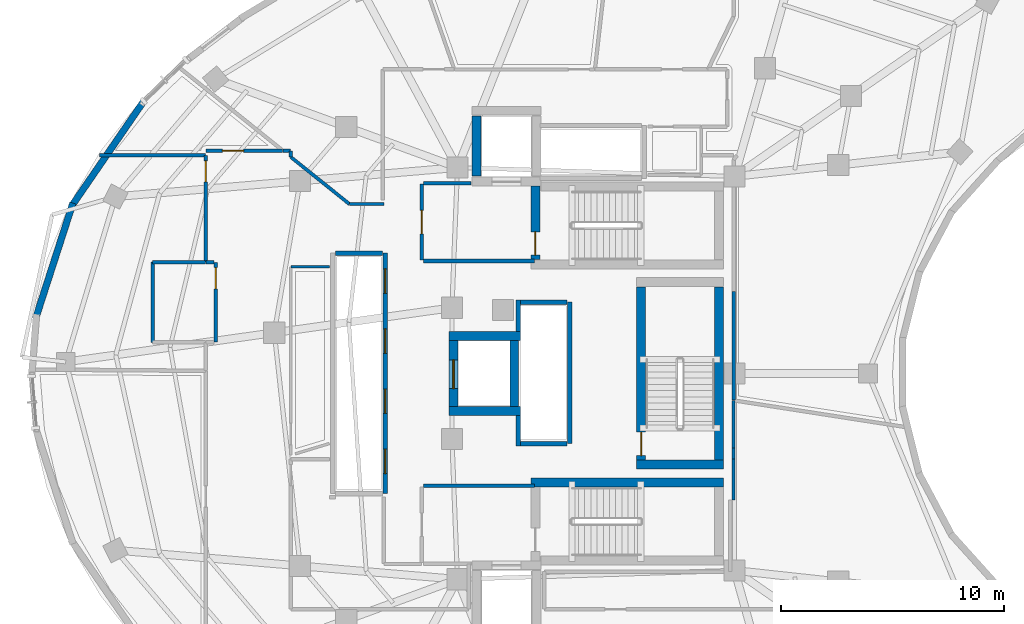
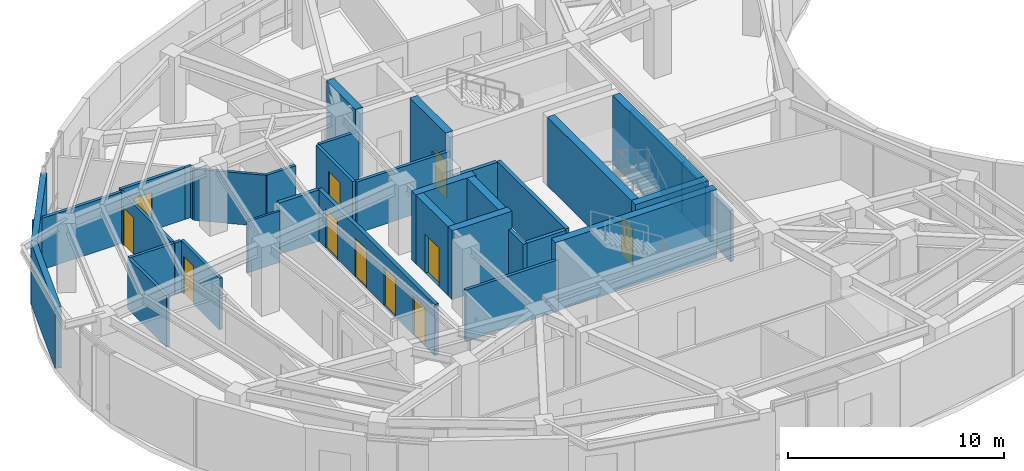
# One storey, part 8 of 13: 39 walls, 11 doors, 11 openings.
"""IFC4 building model written with IfcOpenShell, lengths in metres."""

from ifc_helpers import new_model, si_unit, direction, frame, frame_2d, origin, place, context, subcontext, project, spatial, rectangle, extrude, material, layer, layer_set, type_object, element, fill, save


model = new_model("IFC4")

# Units and contexts
model_context = context("Model", 3, precision=1e-05, world=origin(), true_north=direction((0.0, 1.0)))
body_context = subcontext(model_context, "Body", "Model", "MODEL_VIEW")
ifc_project = project(units=[si_unit("LENGTHUNIT", "METRE"), si_unit("AREAUNIT", "SQUARE_METRE"), si_unit("VOLUMEUNIT", "CUBIC_METRE"), si_unit("PLANEANGLEUNIT", "RADIAN"), si_unit("MASSUNIT", "GRAM", prefix="KILO")], contexts=[model_context])

# Site, building, storey
site_placement = place(None, origin())
site = spatial("IfcSite", under=ifc_project, at=site_placement, CompositionType="ELEMENT")
building_placement = place(site_placement, origin())
building = spatial("IfcBuilding", under=site, at=building_placement, Name="Korentha Bioscience Tower", CompositionType="ELEMENT")
storey_placement = place(building_placement, frame((0.0, 0.0, 243.60009765625)))
storey = spatial("IfcBuildingStorey", under=building, at=storey_placement, Name="L56", CompositionType="ELEMENT", Elevation=243.60009765625)

# Wall, opening, door
ifc_material_1 = material(Name="Double-Stud Acoustic Gypsum", Category="gypsum")
ifc_layer_1 = layer(ifc_material_1, 0.14990234375, Name="Double-Stud Acoustic Gypsum")
ifc_layer_set_1 = layer_set([ifc_layer_1], Name="Double-Stud Acoustic Gypsum (IW-L150)")
wall_type_1 = type_object("IfcWallType", Name="Acoustic Laboratory Partition Wall 150", PredefinedType="PARTITIONING", material=ifc_layer_set_1)
wall_1_placement = place(storey_placement, frame((13.7900390625, 36.7919921875, 0.0), z_axis=(0.0, 0.0, 1.0), x_axis=(0.0, -1.0, 0.0)))
wall_1 = element("IfcWall", 1, at=wall_1_placement, inside=storey, type_object=wall_type_1, Name="L56 Epidemiology Modelling Studio 12 Entrance Wall", PredefinedType="PARTITIONING", context=body_context, shape_type="SweptSolid", body=[
    extrude(rectangle(XDim=4.781982421875, YDim=0.14990234375, at=frame_2d((2.39111328125, 0.0))), origin(), (0.0, 0.0, 1.0), 2.909912109375),
])
opening_1_placement = place(wall_1_placement, frame((0.239990234375, 0.0, 0.0)))
opening_1 = element("IfcOpeningElement", 2, at=opening_1_placement, cuts=wall_1, Name="Opening ID-10R", PredefinedType="OPENING", context=body_context, shape_type="SweptSolid", body=[
    extrude(rectangle(XDim=0.949951171875, YDim=2.14990234375, at=frame_2d((0.47509765625, 1.074951171875))), frame((0.0, 0.08984375, 0.0), z_axis=(0.0, -1.0, 0.0), x_axis=(1.0, 0.0, 0.0)), (0.0, 0.0, 1.0), 0.1796875),
])
ifc_material_2 = material(Name="Phenolic Laminate Timber Core", Category="wood")
door_type_1 = type_object("IfcDoorType", Name="Laboratory Single Leaf Door 950x2150 Right", OperationType="SINGLE_SWING_RIGHT", PredefinedType="DOOR", material=ifc_material_2)
door_1_placement = place(opening_1_placement, origin())
door_1 = element("IfcDoor", 3, at=door_1_placement, inside=storey, type_object=door_type_1, Name="L56 Epidemiology Modelling Studio 12 Door", OperationType="SINGLE_SWING_RIGHT", OverallHeight=2.14990234375, OverallWidth=0.949951171875, PredefinedType="DOOR", context=body_context, shape_type="SweptSolid", body=[
    extrude(rectangle(XDim=0.949951171875, YDim=2.14990234375, at=frame_2d((0.47509765625, 1.074951171875))), frame((0.0, 0.02490234375, 0.0), z_axis=(0.0, -1.0, 0.0), x_axis=(1.0, 0.0, 0.0)), (0.0, 0.0, 1.0), 0.050048828125),
])
fill(opening_1, door_1)

# Walls
wall_2_placement = place(storey_placement, frame((37.501953125, 21.318603515625, 0.0), z_axis=(0.0, 0.0, 1.0), x_axis=(0.0, 1.0, 0.0)))
element("IfcWall", 4, at=wall_2_placement, inside=storey, type_object=wall_type_1, Name="L56 Interior Partition 041", PredefinedType="PARTITIONING", context=body_context, shape_type="SweptSolid", body=[
    extrude(rectangle(XDim=1.8291015625, YDim=0.14990234375, at=frame_2d((0.91455078125, 0.0))), origin(), (0.0, 0.0, 1.0), 2.909912109375),
])
wall_3_placement = place(storey_placement, frame((37.501953125, 23.152099609375, 0.0), z_axis=(0.0, 0.0, 1.0), x_axis=(0.0, 1.0, 0.0)))
element("IfcWall", 5, at=wall_3_placement, inside=storey, type_object=wall_type_1, Name="L56 Interior Partition 042", PredefinedType="PARTITIONING", context=body_context, shape_type="SweptSolid", body=[
    extrude(rectangle(XDim=0.49560546875, YDim=0.14990234375, at=frame_2d((0.247802734375, 0.0))), origin(), (0.0, 0.0, 1.0), 2.909912109375),
])
wall_4_placement = place(storey_placement, frame((37.501953125, 23.652099609375, 0.0), z_axis=(0.0, 0.0, 1.0), x_axis=(0.0, 1.0, 0.0)))
element("IfcWall", 6, at=wall_4_placement, inside=storey, type_object=wall_type_1, Name="L56 Interior Partition 043", PredefinedType="PARTITIONING", context=body_context, shape_type="SweptSolid", body=[
    extrude(rectangle(XDim=2.1376953125, YDim=0.14990234375, at=frame_2d((1.06884765625, 0.0))), origin(), (0.0, 0.0, 1.0), 2.909912109375),
])
wall_5_placement = place(storey_placement, frame((21.7900390625, 34.610107421875, 0.0), z_axis=(0.0, 0.0, 1.0), x_axis=(-1.0, 0.0, 0.0)))
element("IfcWall", 7, at=wall_5_placement, inside=storey, type_object=wall_type_1, Name="L56 Interior Partition 058", PredefinedType="PARTITIONING", context=body_context, shape_type="SweptSolid", body=[
    extrude(rectangle(XDim=1.546142578125, YDim=0.14990234375, at=frame_2d((0.77294921875, 0.0))), origin(), (0.0, 0.0, 1.0), 2.909912109375),
])
wall_6_placement = place(storey_placement, frame((20.243896484375, 34.610107421875, 0.0), z_axis=(0.0, 0.0, 1.0), x_axis=(-0.779965134007, 0.625822969963, 0.0)))
element("IfcWall", 8, at=wall_6_placement, inside=storey, type_object=wall_type_1, Name="L56 Interior Partition 059", PredefinedType="PARTITIONING", context=body_context, shape_type="SweptSolid", body=[
    extrude(rectangle(XDim=3.376708984375, YDim=0.14990234375, at=frame_2d((1.6884765625, 0.0))), origin(), (0.0, 0.0, 1.0), 2.909912109375),
])
wall_7_placement = place(storey_placement, frame((17.610107421875, 36.723388671875, 0.0), z_axis=(0.0, 0.0, 1.0), x_axis=(0.0, 1.0, 0.0)))
element("IfcWall", 9, at=wall_7_placement, inside=storey, type_object=wall_type_1, Name="L56 Interior Partition 060", PredefinedType="PARTITIONING", context=body_context, shape_type="SweptSolid", body=[
    extrude(rectangle(XDim=0.276611328125, YDim=0.14990234375, at=frame_2d((0.13818359375, 0.0))), origin(), (0.0, 0.0, 1.0), 2.909912109375),
])
wall_8_placement = place(storey_placement, frame((17.60009765625, 37.010009765625, 0.0), z_axis=(0.0, 0.0, 1.0), x_axis=(-1.0, 0.0, 0.0)))
element("IfcWall", 10, at=wall_8_placement, inside=storey, type_object=wall_type_1, Name="L56 Interior Partition 061", PredefinedType="PARTITIONING", context=body_context, shape_type="SweptSolid", body=[
    extrude(rectangle(XDim=0.34716796875, YDim=0.14990234375, at=frame_2d((0.173583984375, 0.0))), origin(), (0.0, 0.0, 1.0), 2.909912109375),
])
ifc_material_3 = material(Name="Fire-Rated Framed Glass", Category="glass")
ifc_layer_2 = layer(ifc_material_3, 0.110107421875, Name="Fire-Rated Framed Glass")
ifc_layer_set_2 = layer_set([ifc_layer_2], Name="Fire-Rated Framed Glass (IW-G110)")
wall_type_2 = type_object("IfcWallType", Name="Demountable Glazed Office Partition 110", PredefinedType="MOVABLE", material=ifc_layer_set_2)
wall_9_placement = place(storey_placement, frame((17.610107421875, 31.7900390625, 0.0), z_axis=(0.0, 0.0, 1.0), x_axis=(1.0, 0.0, 0.0)))
element("IfcWall", 11, at=wall_9_placement, inside=storey, type_object=wall_type_2, Name="L56 Interior Partition 066", PredefinedType="MOVABLE", context=body_context, shape_type="SweptSolid", body=[
    extrude(rectangle(XDim=1.72998046875, YDim=0.110107421875, at=frame_2d((0.864990234375, 0.0))), origin(), (0.0, 0.0, 1.0), 2.909912109375),
])

# Wall, opening, door
ifc_material_4 = material(Name="Gypsum-Clad Steel Stud", Category="steel")
ifc_layer_3 = layer(ifc_material_4, 0.159912109375, Name="Gypsum-Clad Steel Stud")
ifc_layer_set_3 = layer_set([ifc_layer_3], Name="Gypsum-Clad Steel Stud (IW-C160)")
wall_type_3 = type_object("IfcWallType", Name="Fire-Rated Corridor Partition Wall 160", PredefinedType="PARTITIONING", material=ifc_layer_set_3)
wall_10_placement = place(storey_placement, frame((23.5, 32.10009765625, 0.0), z_axis=(0.0, 0.0, 1.0), x_axis=(0.0, 1.0, 0.0)))
wall_10 = element("IfcWall", 12, at=wall_10_placement, inside=storey, type_object=wall_type_3, Name="L56 FFLN-CW Rated Enclosure Wall", PredefinedType="PARTITIONING", context=body_context, shape_type="SweptSolid", body=[
    extrude(rectangle(XDim=3.39990234375, YDim=0.159912109375, at=frame_2d((1.699951171875, 0.0))), origin(), (0.0, 0.0, 1.0), 2.909912109375),
])
opening_2_placement = place(wall_10_placement, frame((1.175048828125, 0.0, 0.0)))
opening_2 = element("IfcOpeningElement", 13, at=opening_2_placement, cuts=wall_10, Name="Opening FD-90L", PredefinedType="OPENING", context=body_context, shape_type="SweptSolid", body=[
    extrude(rectangle(XDim=1.050048828125, YDim=2.14990234375, at=frame_2d((0.52490234375, 1.074951171875))), frame((0.0, 0.0947265625, 0.0), z_axis=(0.0, -1.0, 0.0), x_axis=(1.0, 0.0, 0.0)), (0.0, 0.0, 1.0), 0.189697265625),
])
ifc_material_5 = material(Name="Powder-Coated Fire-Rated Steel", Category="steel")
door_type_2 = type_object("IfcDoorType", Name="Stairwell Fire Exit Door 1050x2150 Left", OperationType="SINGLE_SWING_LEFT", PredefinedType="DOOR", material=ifc_material_5)
door_2_placement = place(opening_2_placement, origin())
door_2 = element("IfcDoor", 14, at=door_2_placement, inside=storey, type_object=door_type_2, Name="L56 North Firefighting Lobby Door", OperationType="SINGLE_SWING_LEFT", OverallHeight=2.14990234375, OverallWidth=1.050048828125, PredefinedType="DOOR", context=body_context, shape_type="SweptSolid", body=[
    extrude(rectangle(XDim=1.050048828125, YDim=2.14990234375, at=frame_2d((0.52490234375, 1.074951171875))), frame((0.0, 0.02490234375, 0.0), z_axis=(0.0, -1.0, 0.0), x_axis=(1.0, 0.0, 0.0)), (0.0, 0.0, 1.0), 0.050048828125),
])
fill(opening_2, door_2)

# Walls
wall_11_placement = place(storey_placement, frame((23.580078125, 32.050048828125, 0.0), z_axis=(0.0, 0.0, 1.0), x_axis=(1.0, 0.0, 0.0)))
element("IfcWall", 15, at=wall_11_placement, inside=storey, type_object=wall_type_3, Name="L56 Firefighting Lobby Return Wall FFLN-S", PredefinedType="PARTITIONING", context=body_context, shape_type="SweptSolid", body=[
    extrude(rectangle(XDim=4.969970703125, YDim=0.159912109375, at=frame_2d((2.48486328125, 0.0))), origin(), (0.0, 0.0, 1.0), 2.909912109375),
])
wall_12_placement = place(storey_placement, frame((23.580078125, 35.550048828125, 0.0), z_axis=(0.0, 0.0, 1.0), x_axis=(1.0, 0.0, 0.0)))
element("IfcWall", 16, at=wall_12_placement, inside=storey, type_object=wall_type_3, Name="L56 Firefighting Lobby Return Wall FFLN-N", PredefinedType="PARTITIONING", context=body_context, shape_type="SweptSolid", body=[
    extrude(rectangle(XDim=2.119873046875, YDim=0.159912109375, at=frame_2d((1.06005859375, 0.0))), origin(), (0.0, 0.0, 1.0), 2.909912109375),
])
wall_13_placement = place(storey_placement, frame((23.580078125, 21.949951171875, 0.0), z_axis=(0.0, 0.0, 1.0), x_axis=(1.0, 0.0, 0.0)))
element("IfcWall", 17, at=wall_13_placement, inside=storey, type_object=wall_type_3, Name="L56 Firefighting Lobby Return Wall FFLS-N", PredefinedType="PARTITIONING", context=body_context, shape_type="SweptSolid", body=[
    extrude(rectangle(XDim=4.969970703125, YDim=0.159912109375, at=frame_2d((2.48486328125, 0.0))), origin(), (0.0, 0.0, 1.0), 2.909912109375),
])

# Wall, opening, door
wall_14_placement = place(storey_placement, frame((14.239990234375, 31.989990234375, 0.0), z_axis=(0.0, 0.0, 1.0), x_axis=(0.0, -1.0, 0.0)))
wall_14 = element("IfcWall", 18, at=wall_14_placement, inside=storey, type_object=wall_type_3, Name="L56 Reclaimed Bank-1 North Data Closet Entrance Wall", PredefinedType="PARTITIONING", context=body_context, shape_type="SweptSolid", body=[
    extrude(rectangle(XDim=3.580078125, YDim=0.159912109375, at=frame_2d((1.7900390625, 0.0))), origin(), (0.0, 0.0, 1.0), 2.909912109375),
])
opening_3_placement = place(wall_14_placement, frame((0.239990234375, 0.0, 0.0)))
opening_3 = element("IfcOpeningElement", 19, at=opening_3_placement, cuts=wall_14, Name="Opening ID-10R", PredefinedType="OPENING", context=body_context, shape_type="SweptSolid", body=[
    extrude(rectangle(XDim=0.949951171875, YDim=2.14990234375, at=frame_2d((0.47509765625, 1.074951171875))), frame((0.0, 0.0947265625, 0.0), z_axis=(0.0, -1.0, 0.0), x_axis=(1.0, 0.0, 0.0)), (0.0, 0.0, 1.0), 0.189697265625),
])
door_3_placement = place(opening_3_placement, origin())
door_3 = element("IfcDoor", 20, at=door_3_placement, inside=storey, type_object=door_type_1, Name="L56 Reclaimed Bank-1 North Data Closet Door", OperationType="SINGLE_SWING_RIGHT", OverallHeight=2.14990234375, OverallWidth=0.949951171875, PredefinedType="DOOR", context=body_context, shape_type="SweptSolid", body=[
    extrude(rectangle(XDim=0.949951171875, YDim=2.14990234375, at=frame_2d((0.47509765625, 1.074951171875))), frame((0.0, 0.02490234375, 0.0), z_axis=(0.0, -1.0, 0.0), x_axis=(1.0, 0.0, 0.0)), (0.0, 0.0, 1.0), 0.050048828125),
])
fill(opening_3, door_3)

wall_15_placement = place(storey_placement, frame((17.23681640625, 37.010009765625, 0.0), z_axis=(0.0, 0.0, 1.0), x_axis=(-1.0, 0.0, 0.0)))
wall_15 = element("IfcWall", 21, at=wall_15_placement, inside=storey, type_object=wall_type_3, Name="L56 Cold-Chain Stability Chamber 11 Entrance Wall", PredefinedType="PARTITIONING", context=body_context, shape_type="SweptSolid", body=[
    extrude(rectangle(XDim=3.436767578125, YDim=0.159912109375, at=frame_2d((1.71826171875, 0.0))), origin(), (0.0, 0.0, 1.0), 2.909912109375),
])
opening_4_placement = place(wall_15_placement, frame((1.74951171875, 0.0, 0.0)))
opening_4 = element("IfcOpeningElement", 22, at=opening_4_placement, cuts=wall_15, Name="Opening ID-10L", PredefinedType="OPENING", context=body_context, shape_type="SweptSolid", body=[
    extrude(rectangle(XDim=0.949951171875, YDim=2.14990234375, at=frame_2d((0.47509765625, 1.074951171875))), frame((0.0, 0.0947265625, 0.0), z_axis=(0.0, -1.0, 0.0), x_axis=(1.0, 0.0, 0.0)), (0.0, 0.0, 1.0), 0.189697265625),
])
door_type_3 = type_object("IfcDoorType", Name="Laboratory Single Leaf Door 950x2150 Left", OperationType="SINGLE_SWING_LEFT", PredefinedType="DOOR", material=ifc_material_2)
door_4_placement = place(opening_4_placement, origin())
door_4 = element("IfcDoor", 23, at=door_4_placement, inside=storey, type_object=door_type_3, Name="L56 Cold-Chain Stability Chamber 11 Door", OperationType="SINGLE_SWING_LEFT", OverallHeight=2.14990234375, OverallWidth=0.949951171875, PredefinedType="DOOR", context=body_context, shape_type="SweptSolid", body=[
    extrude(rectangle(XDim=0.949951171875, YDim=2.14990234375, at=frame_2d((0.47509765625, 1.074951171875))), frame((0.0, 0.02490234375, 0.0), z_axis=(0.0, -1.0, 0.0), x_axis=(1.0, 0.0, 0.0)), (0.0, 0.0, 1.0), 0.050048828125),
])
fill(opening_4, door_4)

# Walls
wall_16_placement = place(storey_placement, frame((13.800048828125, 31.989990234375, 0.0), z_axis=(0.0, 0.0, 1.0), x_axis=(1.0, 0.0, 0.0)))
element("IfcWall", 24, at=wall_16_placement, inside=storey, type_object=wall_type_3, Name="L56 Interior Partition 018", PredefinedType="PARTITIONING", context=body_context, shape_type="SweptSolid", body=[
    extrude(rectangle(XDim=0.35693359375, YDim=0.159912109375, at=frame_2d((0.178466796875, 0.0))), origin(), (0.0, 0.0, 1.0), 2.909912109375),
])
wall_17_placement = place(storey_placement, frame((11.39990234375, 28.39990234375, 0.0), z_axis=(0.0, 0.0, 1.0), x_axis=(0.0, 1.0, 0.0)))
element("IfcWall", 25, at=wall_17_placement, inside=storey, type_object=wall_type_3, Name="L56 Interior Partition 021", PredefinedType="PARTITIONING", context=body_context, shape_type="SweptSolid", body=[
    extrude(rectangle(XDim=3.60009765625, YDim=0.159912109375, at=frame_2d((1.800048828125, 0.0))), origin(), (0.0, 0.0, 1.0), 2.909912109375),
])
wall_18_placement = place(storey_placement, frame((11.39990234375, 32.0, 0.0), z_axis=(0.0, 0.0, 1.0), x_axis=(1.0, 0.0, 0.0)))
element("IfcWall", 26, at=wall_18_placement, inside=storey, type_object=wall_type_3, Name="L56 Interior Partition 022", PredefinedType="PARTITIONING", context=body_context, shape_type="SweptSolid", body=[
    extrude(rectangle(XDim=2.39013671875, YDim=0.159912109375, at=frame_2d((1.195068359375, 0.0))), origin(), (0.0, 0.0, 1.0), 2.909912109375),
])
wall_19_placement = place(storey_placement, frame((37.501953125, 25.800048828125, 0.0), z_axis=(0.0, 0.0, 1.0), x_axis=(0.0, 1.0, 0.0)))
element("IfcWall", 27, at=wall_19_placement, inside=storey, type_object=wall_type_3, Name="L56 Interior Partition 048", PredefinedType="PARTITIONING", context=body_context, shape_type="SweptSolid", body=[
    extrude(rectangle(XDim=4.871337890625, YDim=0.159912109375, at=frame_2d((2.435546875, 0.0))), origin(), (0.0, 0.0, 1.0), 2.909912109375),
])
wall_20_placement = place(storey_placement, frame((13.7900390625, 36.802001953125, 0.0), z_axis=(0.0, 0.0, 1.0), x_axis=(-1.0, 0.0, 0.0)))
element("IfcWall", 28, at=wall_20_placement, inside=storey, type_object=wall_type_3, Name="L56 Interior Partition 063", PredefinedType="PARTITIONING", context=body_context, shape_type="SweptSolid", body=[
    extrude(rectangle(XDim=4.7724609375, YDim=0.159912109375, at=frame_2d((2.38623046875, 0.0))), origin(), (0.0, 0.0, 1.0), 2.909912109375),
])
ifc_material_6 = material(Name="Honed Limestone Precast Concrete C40", Category="masonry")
ifc_layer_4 = layer(ifc_material_6, 0.300048828125, Name="Honed Limestone Precast Concrete C40")
ifc_layer_set_4 = layer_set([ifc_layer_4], Name="Honed Limestone Precast Concrete C40 (EW-ST300)")
wall_type_4 = type_object("IfcWallType", Name="Honed Limestone Cavity Spandrel Wall 300", PredefinedType="STANDARD", material=ifc_layer_set_4)
wall_21_placement = place(storey_placement, frame((10.983642578125, 39.2001953125, 0.0), z_axis=(0.0, 0.0, 1.0), x_axis=(-0.566669772846, -0.823945003349, 0.0)))
element("IfcWall", 29, at=wall_21_placement, inside=storey, type_object=wall_type_4, Name="L56 Limestone Perimeter Closure Wall 14", PredefinedType="STANDARD", context=body_context, shape_type="SweptSolid", body=[
    extrude(rectangle(XDim=5.733642578125, YDim=0.300048828125, at=frame_2d((2.86669921875, 0.0))), origin(), (0.0, 0.0, 1.0), 3.469970703125),
])
wall_22_placement = place(storey_placement, frame((7.822265625, 34.654296875, 0.0), z_axis=(0.0, 0.0, 1.0), x_axis=(-0.307501658213, -0.951547544895, 0.0)))
element("IfcWall", 30, at=wall_22_placement, inside=storey, type_object=wall_type_4, Name="L56 Limestone Perimeter Closure Wall 16", PredefinedType="STANDARD", context=body_context, shape_type="SweptSolid", body=[
    extrude(rectangle(XDim=5.447265625, YDim=0.300048828125, at=frame_2d((2.7236328125, 0.0))), origin(), (0.0, 0.0, 1.0), 3.469970703125),
])

# Wall, openings, doors
ifc_material_7 = material(Name="Autoclaved Aerated Concrete Block C25", Category="concrete")
ifc_layer_5 = layer(ifc_material_7, 0.199951171875, Name="Autoclaved Aerated Concrete Block C25")
ifc_layer_set_5 = layer_set([ifc_layer_5], Name="Autoclaved Aerated Concrete Block C25 (IW-S200)")
wall_type_5 = type_object("IfcWallType", Name="Lift and Riser Shaft Enclosure Wall 200", PredefinedType="PARTITIONING", material=ifc_layer_set_5)
wall_23_placement = place(storey_placement, frame((21.85009765625, 21.60009765625, 0.0), z_axis=(0.0, 0.0, 1.0), x_axis=(0.0, 1.0, 0.0)))
wall_23 = element("IfcWall", 31, at=wall_23_placement, inside=storey, type_object=wall_type_5, Name="L56 Lift Bank MID Shaft Wall +X", PredefinedType="PARTITIONING", context=body_context, shape_type="SweptSolid", body=[
    extrude(rectangle(XDim=10.7998046875, YDim=0.199951171875, at=frame_2d((5.39990234375, 0.0))), origin(), (0.0, 0.0, 1.0), 2.909912109375),
])
opening_5_placement = place(wall_23_placement, frame((0.89990234375, 0.0, 0.0)))
opening_5 = element("IfcOpeningElement", 32, at=opening_5_placement, cuts=wall_23, Name="Opening LD-11", PredefinedType="OPENING", context=body_context, shape_type="SweptSolid", body=[
    extrude(rectangle(XDim=1.10009765625, YDim=2.199951171875, at=frame_2d((0.550048828125, 1.10009765625))), frame((0.0, 0.11474609375, 0.0), z_axis=(0.0, -1.0, 0.0), x_axis=(1.0, 0.0, 0.0)), (0.0, 0.0, 1.0), 0.229736328125),
])
opening_6_placement = place(wall_23_placement, frame((3.60009765625, 0.0, 0.0)))
opening_6 = element("IfcOpeningElement", 33, at=opening_6_placement, cuts=wall_23, Name="Opening LD-11", PredefinedType="OPENING", context=body_context, shape_type="SweptSolid", body=[
    extrude(rectangle(XDim=1.10009765625, YDim=2.199951171875, at=frame_2d((0.550048828125, 1.10009765625))), frame((0.0, 0.11474609375, 0.0), z_axis=(0.0, -1.0, 0.0), x_axis=(1.0, 0.0, 0.0)), (0.0, 0.0, 1.0), 0.229736328125),
])
opening_7_placement = place(wall_23_placement, frame((6.300048828125, 0.0, 0.0)))
opening_7 = element("IfcOpeningElement", 34, at=opening_7_placement, cuts=wall_23, Name="Opening LD-11", PredefinedType="OPENING", context=body_context, shape_type="SweptSolid", body=[
    extrude(rectangle(XDim=1.10009765625, YDim=2.199951171875, at=frame_2d((0.550048828125, 1.10009765625))), frame((0.0, 0.11474609375, 0.0), z_axis=(0.0, -1.0, 0.0), x_axis=(1.0, 0.0, 0.0)), (0.0, 0.0, 1.0), 0.229736328125),
])
opening_8_placement = place(wall_23_placement, frame((9.0, 0.0, 0.0)))
opening_8 = element("IfcOpeningElement", 35, at=opening_8_placement, cuts=wall_23, Name="Opening LD-11", PredefinedType="OPENING", context=body_context, shape_type="SweptSolid", body=[
    extrude(rectangle(XDim=1.10009765625, YDim=2.199951171875, at=frame_2d((0.550048828125, 1.10009765625))), frame((0.0, 0.11474609375, 0.0), z_axis=(0.0, -1.0, 0.0), x_axis=(1.0, 0.0, 0.0)), (0.0, 0.0, 1.0), 0.229736328125),
])
ifc_material_8 = material(Name="Brushed Stainless Steel 304", Category="steel")
door_type_4 = type_object("IfcDoorType", Name="Passenger Lift Sliding Landing Door 1100x2200", OperationType="DOUBLE_DOOR_SLIDING", PredefinedType="DOOR", material=ifc_material_8)
door_5_placement = place(opening_5_placement, origin())
door_5 = element("IfcDoor", 36, at=door_5_placement, inside=storey, type_object=door_type_4, Name="L56 PL-M1 Sliding Lift Landing Door", OperationType="DOUBLE_DOOR_SLIDING", OverallHeight=2.199951171875, OverallWidth=1.10009765625, PredefinedType="DOOR", context=body_context, shape_type="SweptSolid", body=[
    extrude(rectangle(XDim=1.10009765625, YDim=2.199951171875, at=frame_2d((0.550048828125, 1.10009765625))), frame((0.0, 0.02490234375, 0.0), z_axis=(0.0, -1.0, 0.0), x_axis=(1.0, 0.0, 0.0)), (0.0, 0.0, 1.0), 0.050048828125),
])
fill(opening_5, door_5)
door_6_placement = place(opening_6_placement, origin())
door_6 = element("IfcDoor", 37, at=door_6_placement, inside=storey, type_object=door_type_4, Name="L56 PL-M2 Sliding Lift Landing Door", OperationType="DOUBLE_DOOR_SLIDING", OverallHeight=2.199951171875, OverallWidth=1.10009765625, PredefinedType="DOOR", context=body_context, shape_type="SweptSolid", body=[
    extrude(rectangle(XDim=1.10009765625, YDim=2.199951171875, at=frame_2d((0.550048828125, 1.10009765625))), frame((0.0, 0.02490234375, 0.0), z_axis=(0.0, -1.0, 0.0), x_axis=(1.0, 0.0, 0.0)), (0.0, 0.0, 1.0), 0.050048828125),
])
fill(opening_6, door_6)
door_7_placement = place(opening_7_placement, origin())
door_7 = element("IfcDoor", 38, at=door_7_placement, inside=storey, type_object=door_type_4, Name="L56 PL-M3 Sliding Lift Landing Door", OperationType="DOUBLE_DOOR_SLIDING", OverallHeight=2.199951171875, OverallWidth=1.10009765625, PredefinedType="DOOR", context=body_context, shape_type="SweptSolid", body=[
    extrude(rectangle(XDim=1.10009765625, YDim=2.199951171875, at=frame_2d((0.550048828125, 1.10009765625))), frame((0.0, 0.02490234375, 0.0), z_axis=(0.0, -1.0, 0.0), x_axis=(1.0, 0.0, 0.0)), (0.0, 0.0, 1.0), 0.050048828125),
])
fill(opening_7, door_7)
door_8_placement = place(opening_8_placement, origin())
door_8 = element("IfcDoor", 39, at=door_8_placement, inside=storey, type_object=door_type_4, Name="L56 PL-M4 Sliding Lift Landing Door", OperationType="DOUBLE_DOOR_SLIDING", OverallHeight=2.199951171875, OverallWidth=1.10009765625, PredefinedType="DOOR", context=body_context, shape_type="SweptSolid", body=[
    extrude(rectangle(XDim=1.10009765625, YDim=2.199951171875, at=frame_2d((0.550048828125, 1.10009765625))), frame((0.0, 0.02490234375, 0.0), z_axis=(0.0, -1.0, 0.0), x_axis=(1.0, 0.0, 0.0)), (0.0, 0.0, 1.0), 0.050048828125),
])
fill(opening_8, door_8)

# Walls
wall_24_placement = place(storey_placement, frame((19.6201171875, 32.39990234375, 0.0), z_axis=(0.0, 0.0, 1.0), x_axis=(1.0, 0.0, 0.0)))
element("IfcWall", 40, at=wall_24_placement, inside=storey, type_object=wall_type_5, Name="L56 Lift Bank MID Shaft Wall +Y", PredefinedType="PARTITIONING", context=body_context, shape_type="SweptSolid", body=[
    extrude(rectangle(XDim=2.10986328125, YDim=0.199951171875, at=frame_2d((1.054931640625, 0.0))), origin(), (0.0, 0.0, 1.0), 2.909912109375),
])
wall_25_placement = place(storey_placement, frame((27.830078125, 23.75, 0.0), z_axis=(0.0, 0.0, 1.0), x_axis=(0.0, 1.0, 0.0)))
element("IfcWall", 41, at=wall_25_placement, inside=storey, type_object=wall_type_5, Name="L56 Lift Bank HIGH Shaft Wall -XS", PredefinedType="PARTITIONING", context=body_context, shape_type="SweptSolid", body=[
    extrude(rectangle(XDim=1.365966796875, YDim=0.199951171875, at=frame_2d((0.68310546875, 0.0))), origin(), (0.0, 0.0, 1.0), 2.909912109375),
])
wall_26_placement = place(storey_placement, frame((27.830078125, 28.884033203125, 0.0), z_axis=(0.0, 0.0, 1.0), x_axis=(0.0, 1.0, 0.0)))
element("IfcWall", 42, at=wall_26_placement, inside=storey, type_object=wall_type_5, Name="L56 Lift Bank HIGH Shaft Wall -XN", PredefinedType="PARTITIONING", context=body_context, shape_type="SweptSolid", body=[
    extrude(rectangle(XDim=1.416015625, YDim=0.199951171875, at=frame_2d((0.7080078125, 0.0))), origin(), (0.0, 0.0, 1.0), 2.909912109375),
])
wall_27_placement = place(storey_placement, frame((30.14990234375, 23.85009765625, 0.0), z_axis=(0.0, 0.0, 1.0), x_axis=(0.0, 1.0, 0.0)))
element("IfcWall", 43, at=wall_27_placement, inside=storey, type_object=wall_type_5, Name="L56 Lift Bank HIGH Shaft Wall +X", PredefinedType="PARTITIONING", context=body_context, shape_type="SweptSolid", body=[
    extrude(rectangle(XDim=6.349853515625, YDim=0.199951171875, at=frame_2d((3.1748046875, 0.0))), origin(), (0.0, 0.0, 1.0), 2.909912109375),
])
for number, where, z_axis, x_axis, name in (
    (44, (27.93408203125, 23.85009765625, 0.0), (0.0, 0.0, 1.0), (1.0, 0.0, 0.0), "L56 Lift Bank HIGH Shaft Wall -Y"),
    (45, (27.93408203125, 30.199951171875, 0.0), (0.0, 0.0, 1.0), (1.0, 0.0, 0.0), "L56 Lift Bank HIGH Shaft Wall +Y"),
):
    element("IfcWall", number, at=place(storey_placement, frame(where, z_axis=z_axis, x_axis=x_axis)), inside=storey, type_object=wall_type_5, Name=name, PredefinedType="PARTITIONING", context=body_context, shape_type="SweptSolid", body=[
        extrude(rectangle(XDim=2.095947265625, YDim=0.199951171875, at=frame_2d((1.0478515625, 0.0))), origin(), (0.0, 0.0, 1.0), 2.909912109375),
    ])

# Wall, opening, door
ifc_material_9 = material(Name="Concrete C65", Category="concrete")
ifc_layer_6 = layer(ifc_material_9, 0.39990234375, Name="Concrete C65")
ifc_layer_set_6 = layer_set([ifc_layer_6], Name="Concrete C65 (CW-C65)")
wall_type_6 = type_object("IfcWallType", Name="Mid-Rise Core Shear Wall 400", PredefinedType="SHEAR", material=ifc_layer_set_6)
wall_28_placement = place(storey_placement, frame((28.60009765625, 32.110107421875, 0.0), z_axis=(0.0, 0.0, 1.0), x_axis=(0.0, 1.0, 0.0)))
wall_28 = element("IfcWall", 46, at=wall_28_placement, inside=storey, type_object=wall_type_6, Name="L56 Core Shear Wall ST1-W", PredefinedType="SHEAR", context=body_context, shape_type="SweptSolid", body=[
    extrude(rectangle(XDim=3.307861328125, YDim=0.39990234375, at=frame_2d((1.65380859375, 0.0))), origin(), (0.0, 0.0, 1.0), 3.89990234375),
])
opening_9_placement = place(wall_28_placement, frame((0.199951171875, 0.0, 0.0)))
opening_9 = element("IfcOpeningElement", 47, at=opening_9_placement, cuts=wall_28, Name="Opening FD-90L", PredefinedType="OPENING", context=body_context, shape_type="SweptSolid", body=[
    extrude(rectangle(XDim=1.050048828125, YDim=2.14990234375, at=frame_2d((0.52490234375, 1.074951171875))), frame((0.0, 0.21484375, 0.0), z_axis=(0.0, -1.0, 0.0), x_axis=(1.0, 0.0, 0.0)), (0.0, 0.0, 1.0), 0.4296875),
])
door_9_placement = place(opening_9_placement, origin())
door_9 = element("IfcDoor", 48, at=door_9_placement, inside=storey, type_object=door_type_2, Name="L56 ST-1 Fire Exit Stair Door", OperationType="SINGLE_SWING_LEFT", OverallHeight=2.14990234375, OverallWidth=1.050048828125, PredefinedType="DOOR", context=body_context, shape_type="SweptSolid", body=[
    extrude(rectangle(XDim=1.050048828125, YDim=2.14990234375, at=frame_2d((0.52490234375, 1.074951171875))), frame((0.0, 0.02490234375, 0.0), z_axis=(0.0, -1.0, 0.0), x_axis=(1.0, 0.0, 0.0)), (0.0, 0.0, 1.0), 0.050048828125),
])
fill(opening_9, door_9)

# Walls
wall_29_placement = place(storey_placement, frame((28.39990234375, 22.10009765625, 0.0), z_axis=(0.0, 0.0, 1.0), x_axis=(1.0, 0.0, 0.0)))
element("IfcWall", 49, at=wall_29_placement, inside=storey, type_object=wall_type_6, Name="L56 Core Shear Wall ST2-N", PredefinedType="SHEAR", context=body_context, shape_type="SweptSolid", body=[
    extrude(rectangle(XDim=8.650146484375, YDim=0.39990234375, at=frame_2d((4.3251953125, 0.0))), origin(), (0.0, 0.0, 1.0), 3.89990234375),
])
wall_30_placement = place(storey_placement, frame((33.14990234375, 22.89990234375, 0.0), z_axis=(0.0, 0.0, 1.0), x_axis=(1.0, 0.0, 0.0)))
element("IfcWall", 50, at=wall_30_placement, inside=storey, type_object=wall_type_6, Name="L56 Core Shear Wall ST3-S", PredefinedType="SHEAR", context=body_context, shape_type="SweptSolid", body=[
    extrude(rectangle(XDim=3.900146484375, YDim=0.39990234375, at=frame_2d((1.9501953125, 0.0))), origin(), (0.0, 0.0, 1.0), 3.89990234375),
])
wall_31_placement = place(storey_placement, frame((36.85009765625, 23.110107421875, 0.0), z_axis=(0.0, 0.0, 1.0), x_axis=(0.0, 1.0, 0.0)))
element("IfcWall", 51, at=wall_31_placement, inside=storey, type_object=wall_type_6, Name="L56 Core Shear Wall ST3-E", PredefinedType="SHEAR", context=body_context, shape_type="SweptSolid", body=[
    extrude(rectangle(XDim=7.77978515625, YDim=0.39990234375, at=frame_2d((3.889892578125, 0.0))), origin(), (0.0, 0.0, 1.0), 3.89990234375),
])

# Wall, opening, door
wall_32_placement = place(storey_placement, frame((33.35009765625, 23.110107421875, 0.0), z_axis=(0.0, 0.0, 1.0), x_axis=(0.0, 1.0, 0.0)))
wall_32 = element("IfcWall", 52, at=wall_32_placement, inside=storey, type_object=wall_type_6, Name="L56 Core Shear Wall ST3-W", PredefinedType="SHEAR", context=body_context, shape_type="SweptSolid", body=[
    extrude(rectangle(XDim=7.77978515625, YDim=0.39990234375, at=frame_2d((3.889892578125, 0.0))), origin(), (0.0, 0.0, 1.0), 3.89990234375),
])
opening_10_placement = place(wall_32_placement, frame((0.199951171875, 0.0, 0.0)))
opening_10 = element("IfcOpeningElement", 53, at=opening_10_placement, cuts=wall_32, Name="Opening FD-90L", PredefinedType="OPENING", context=body_context, shape_type="SweptSolid", body=[
    extrude(rectangle(XDim=1.050048828125, YDim=2.14990234375, at=frame_2d((0.52490234375, 1.074951171875))), frame((0.0, 0.21484375, 0.0), z_axis=(0.0, -1.0, 0.0), x_axis=(1.0, 0.0, 0.0)), (0.0, 0.0, 1.0), 0.4296875),
])
door_10_placement = place(opening_10_placement, origin())
door_10 = element("IfcDoor", 54, at=door_10_placement, inside=storey, type_object=door_type_2, Name="L56 ST-3 Fire Exit Stair Door", OperationType="SINGLE_SWING_LEFT", OverallHeight=2.14990234375, OverallWidth=1.050048828125, PredefinedType="DOOR", context=body_context, shape_type="SweptSolid", body=[
    extrude(rectangle(XDim=1.050048828125, YDim=2.14990234375, at=frame_2d((0.52490234375, 1.074951171875))), frame((0.0, 0.02490234375, 0.0), z_axis=(0.0, -1.0, 0.0), x_axis=(1.0, 0.0, 0.0)), (0.0, 0.0, 1.0), 0.050048828125),
])
fill(opening_10, door_10)

# Walls
wall_33_placement = place(storey_placement, frame((25.949951171875, 35.860107421875, 0.0), z_axis=(0.0, 0.0, 1.0), x_axis=(0.0, 1.0, 0.0)))
element("IfcWall", 55, at=wall_33_placement, inside=storey, type_object=wall_type_6, Name="L56 Core Shear Wall FFL2-W", PredefinedType="SHEAR", context=body_context, shape_type="SweptSolid", body=[
    extrude(rectangle(XDim=2.699951171875, YDim=0.39990234375, at=frame_2d((1.35009765625, 0.0))), origin(), (0.0, 0.0, 1.0), 3.89990234375),
])
for number, where, z_axis, x_axis, name in (
    (56, (24.719970703125, 28.679931640625, 0.0), (0.0, 0.0, 1.0), (1.0, 0.0, 0.0), "L56 Core Shear Wall SVL1-N"),
    (57, (24.719970703125, 25.320068359375, 0.0), (0.0, 0.0, 1.0), (1.0, 0.0, 0.0), "L56 Core Shear Wall SVL1-S"),
):
    element("IfcWall", number, at=place(storey_placement, frame(where, z_axis=z_axis, x_axis=x_axis)), inside=storey, type_object=wall_type_6, Name=name, PredefinedType="SHEAR", context=body_context, shape_type="SweptSolid", body=[
        extrude(rectangle(XDim=3.2099609375, YDim=0.39990234375, at=frame_2d((1.60498046875, 0.0))), origin(), (0.0, 0.0, 1.0), 3.89990234375),
    ])

# Wall, opening, door
wall_34_placement = place(storey_placement, frame((24.919921875, 25.52197265625, 0.0), z_axis=(0.0, 0.0, 1.0), x_axis=(0.0, 1.0, 0.0)))
wall_34 = element("IfcWall", 58, at=wall_34_placement, inside=storey, type_object=wall_type_6, Name="L56 Core Shear Wall SVL1-W", PredefinedType="SHEAR", context=body_context, shape_type="SweptSolid", body=[
    extrude(rectangle(XDim=2.9560546875, YDim=0.39990234375, at=frame_2d((1.47802734375, 0.0))), origin(), (0.0, 0.0, 1.0), 3.89990234375),
])
opening_11_placement = place(wall_34_placement, frame((0.7900390625, 0.0, 0.0)))
opening_11 = element("IfcOpeningElement", 59, at=opening_11_placement, cuts=wall_34, Name="Opening LD-13", PredefinedType="OPENING", context=body_context, shape_type="SweptSolid", body=[
    extrude(rectangle(XDim=1.300048828125, YDim=2.199951171875, at=frame_2d((0.64990234375, 1.10009765625))), frame((0.0, 0.21484375, 0.0), z_axis=(0.0, -1.0, 0.0), x_axis=(1.0, 0.0, 0.0)), (0.0, 0.0, 1.0), 0.4296875),
])
ifc_material_10 = material(Name="Brushed Stainless Steel 316", Category="steel")
door_type_5 = type_object("IfcDoorType", Name="Service & Firefighting Lift Landing Door 1300x2300", OperationType="DOUBLE_DOOR_SLIDING", PredefinedType="DOOR", material=ifc_material_10)
door_11_placement = place(opening_11_placement, origin())
door_11 = element("IfcDoor", 60, at=door_11_placement, inside=storey, type_object=door_type_5, Name="L56 SVL-1 Sliding Lift Landing Door", OperationType="DOUBLE_DOOR_SLIDING", OverallHeight=2.199951171875, OverallWidth=1.300048828125, PredefinedType="DOOR", context=body_context, shape_type="SweptSolid", body=[
    extrude(rectangle(XDim=1.300048828125, YDim=2.199951171875, at=frame_2d((0.64990234375, 1.10009765625))), frame((0.0, 0.02490234375, 0.0), z_axis=(0.0, -1.0, 0.0), x_axis=(1.0, 0.0, 0.0)), (0.0, 0.0, 1.0), 0.050048828125),
])
fill(opening_11, door_11)

# Wall
wall_35_placement = place(storey_placement, frame((27.64990234375, 25.52197265625, 0.0), z_axis=(0.0, 0.0, 1.0), x_axis=(0.0, 1.0, 0.0)))
element("IfcWall", 61, at=wall_35_placement, inside=storey, type_object=wall_type_6, Name="L56 Core Shear Wall SVL1-E", PredefinedType="SHEAR", context=body_context, shape_type="SweptSolid", body=[
    extrude(rectangle(XDim=2.9560546875, YDim=0.39990234375, at=frame_2d((1.47802734375, 0.0))), origin(), (0.0, 0.0, 1.0), 3.89990234375),
])

save(model, "model.ifc")
